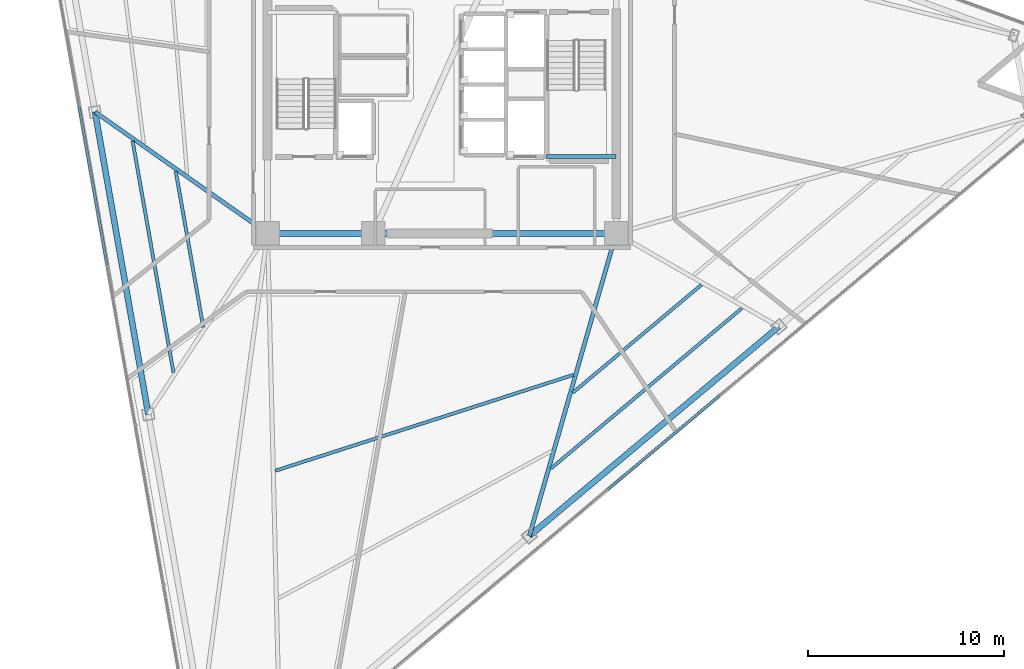
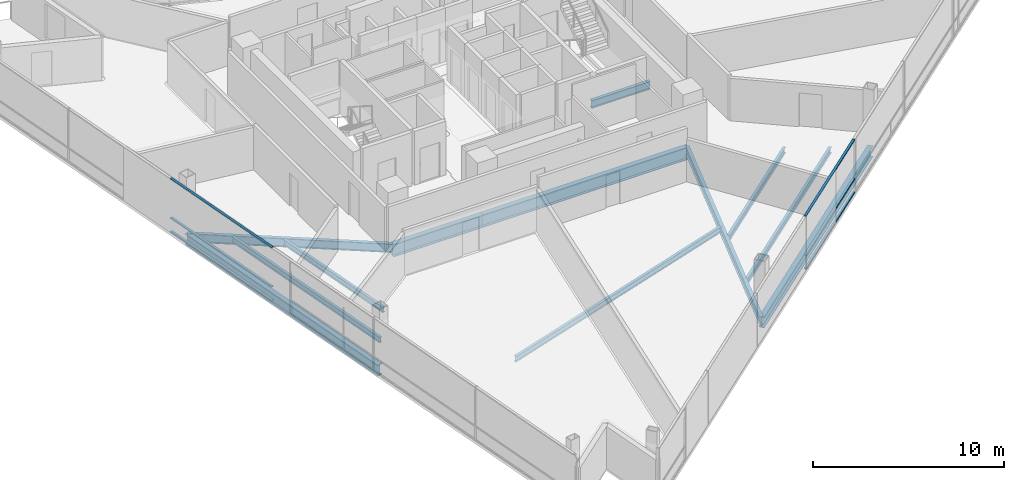
# One storey, part 3 of 16: 12 beams, 6 members, 2 elements without a shape of their own.
"""IFC4 building model written with IfcOpenShell, lengths in metres."""

from ifc_helpers import new_model, si_unit, direction, frame, origin, origin_2d, place, context, subcontext, project, spatial, rectangle, i_section, extrude, material, layer, layer_set, material_profile, profile_set, type_object, element, aggregate, save


model = new_model("IFC4")

# Units and contexts
model_context = context("Model", 3, precision=1e-05, world=origin(), true_north=direction((0.0, 1.0)))
body_context = subcontext(model_context, "Body", "Model", "MODEL_VIEW")
ifc_project = project(units=[si_unit("LENGTHUNIT", "METRE"), si_unit("AREAUNIT", "SQUARE_METRE"), si_unit("VOLUMEUNIT", "CUBIC_METRE"), si_unit("PLANEANGLEUNIT", "RADIAN"), si_unit("MASSUNIT", "GRAM", prefix="KILO")], contexts=[model_context])

# Site, building, storey
site_placement = place(None, origin())
site = spatial("IfcSite", under=ifc_project, at=site_placement, CompositionType="ELEMENT")
building_placement = place(site_placement, origin())
building = spatial("IfcBuilding", under=site, at=building_placement, Name="Tharavind Bronze Gate", CompositionType="ELEMENT")
storey_placement = place(building_placement, frame((0.0, 0.0, 170.5)))
storey = spatial("IfcBuildingStorey", under=building, at=storey_placement, Name="L43", CompositionType="ELEMENT", Elevation=170.5)

# Curtain wall, members
ifc_material_1 = material(Name="Anodised Bronze Aluminium", Category="aluminium")
ifc_layer = layer(ifc_material_1, 0.219970703125)
ifc_layer_set = layer_set([ifc_layer], Name="Anodised Bronze Aluminium")
curtain_wall_type = type_object("IfcCurtainWallType", Name="UNITISED CURTAIN WALL MID OFFICE", PredefinedType="USERDEFINED", material=ifc_layer_set)
curtain_wall_1_placement = place(storey_placement, origin())
curtain_wall_1 = element("IfcCurtainWall", 1, at=curtain_wall_1_placement, inside=storey, type_object=curtain_wall_type, Name="L43 unitised curtain wall mid office CW-L43-S1", ObjectType="UNITISED CURTAIN WALL", PredefinedType="USERDEFINED")
member_type = type_object("IfcMemberType", Name="CURTAIN WALL BRONZE TRANSOM 65X140", PredefinedType="USERDEFINED", material=ifc_material_1)
member_1_placement = place(storey_placement, frame((-17.80517578125, -5.177001953125, 0.0), z_axis=(0.0, 0.0, 1.0), x_axis=(0.173648177667, -0.984807753012, 0.0)))
member_1 = element("IfcMember", 2, at=member_1_placement, type_object=member_type, Name="CW-L43-S1 transom TB3", ObjectType="TRANSOM", PredefinedType="USERDEFINED", context=body_context, shape_type="SweptSolid", body=[
    extrude(rectangle(XDim=8.220458984375, YDim=0.139892578125, at=origin_2d()), origin(), (0.0, 0.0, 1.0), 0.06494140625),
])
member_2_placement = place(storey_placement, frame((-17.80517578125, -5.177001953125, 0.867431640625), z_axis=(0.0, 0.0, 1.0), x_axis=(0.173648177667, -0.984807753012, 0.0)))
member_2 = element("IfcMember", 3, at=member_2_placement, type_object=member_type, Name="CW-L43-S1 transom TS3", ObjectType="TRANSOM", PredefinedType="USERDEFINED", context=body_context, shape_type="SweptSolid", body=[
    extrude(rectangle(XDim=8.220458984375, YDim=0.139892578125, at=origin_2d()), origin(), (0.0, 0.0, 1.0), 0.06494140625),
])
member_3_placement = place(storey_placement, frame((-17.80517578125, -5.177001953125, 3.35498046875), z_axis=(0.0, 0.0, 1.0), x_axis=(0.173648177667, -0.984807753012, 0.0)))
member_3 = element("IfcMember", 4, at=member_3_placement, type_object=member_type, Name="CW-L43-S1 transom TT3", ObjectType="TRANSOM", PredefinedType="USERDEFINED", context=body_context, shape_type="SweptSolid", body=[
    extrude(rectangle(XDim=8.220458984375, YDim=0.139892578125, at=origin_2d()), origin(), (0.0, 0.0, 1.0), 0.06494140625),
])
aggregate(curtain_wall_1, [member_1, member_2, member_3])

curtain_wall_2_placement = place(storey_placement, origin())
curtain_wall_2 = element("IfcCurtainWall", 5, at=curtain_wall_2_placement, inside=storey, type_object=curtain_wall_type, Name="L43 unitised curtain wall mid office CW-L43-S2", ObjectType="UNITISED CURTAIN WALL", PredefinedType="USERDEFINED")
member_4_placement = place(storey_placement, frame((11.31298828125, -18.282470703125, 0.0), z_axis=(0.0, 0.0, 1.0), x_axis=(0.766043321242, 0.642788946685, 0.0)))
member_4 = element("IfcMember", 6, at=member_4_placement, type_object=member_type, Name="CW-L43-S2 transom TB4", ObjectType="TRANSOM", PredefinedType="USERDEFINED", context=body_context, shape_type="SweptSolid", body=[
    extrude(rectangle(XDim=7.443115234375, YDim=0.139892578125, at=origin_2d()), origin(), (0.0, 0.0, 1.0), 0.06494140625),
])
member_5_placement = place(storey_placement, frame((11.31298828125, -18.282470703125, 0.867431640625), z_axis=(0.0, 0.0, 1.0), x_axis=(0.766043321242, 0.642788946685, 0.0)))
member_5 = element("IfcMember", 7, at=member_5_placement, type_object=member_type, Name="CW-L43-S2 transom TS4", ObjectType="TRANSOM", PredefinedType="USERDEFINED", context=body_context, shape_type="SweptSolid", body=[
    extrude(rectangle(XDim=7.443115234375, YDim=0.139892578125, at=origin_2d()), origin(), (0.0, 0.0, 1.0), 0.06494140625),
])
member_6_placement = place(storey_placement, frame((11.31298828125, -18.282470703125, 3.35498046875), z_axis=(0.0, 0.0, 1.0), x_axis=(0.766043321242, 0.642788946685, 0.0)))
member_6 = element("IfcMember", 8, at=member_6_placement, type_object=member_type, Name="CW-L43-S2 transom TT4", ObjectType="TRANSOM", PredefinedType="USERDEFINED", context=body_context, shape_type="SweptSolid", body=[
    extrude(rectangle(XDim=7.443115234375, YDim=0.139892578125, at=origin_2d()), origin(), (0.0, 0.0, 1.0), 0.06494140625),
])
aggregate(curtain_wall_2, [member_4, member_5, member_6])

# Beams
ifc_material_2 = material(Name="Steel S355", Category="steel")
ifc_material_profile_1 = material_profile(ifc_material_2, i_section(OverallWidth=0.199951171875, OverallDepth=0.5, WebThickness=0.01025390625, FlangeThickness=0.01611328125, at=origin_2d()), Name="IPE500")
ifc_profile_set_1 = profile_set([ifc_material_profile_1], Name="Steel S355")
beam_type_1 = type_object("IfcBeamType", Name="PRIMARY GIRDER IPE500", PredefinedType="USERDEFINED", material=ifc_profile_set_1)
beam_1_placement = place(storey_placement, frame((5.35009765625, -3.679931640625, 1.35009765625), z_axis=(1.0, 0.0, 0.0), x_axis=(0.0, 1.0, 0.0)))
element("IfcBeam", 9, at=beam_1_placement, inside=storey, type_object=beam_type_1, Name="L43 primary girder ipe500 BM-LD-ST2-L43-1", ObjectType="GIRDER", PredefinedType="USERDEFINED", context=body_context, shape_type="SweptSolid", body=[
    extrude(i_section(OverallWidth=0.199951171875, OverallDepth=0.5, WebThickness=0.01025390625, FlangeThickness=0.01611328125, at=origin_2d()), origin(), (0.0, 0.0, 1.0), 3.5498046875),
])
ifc_material_profile_2 = material_profile(ifc_material_2, i_section(OverallWidth=0.2099609375, OverallDepth=0.550048828125, WebThickness=0.010986328125, FlangeThickness=0.01708984375, at=origin_2d()), Name="IPE550")
ifc_profile_set_2 = profile_set([ifc_material_profile_2], Name="Steel S355")
beam_type_2 = type_object("IfcBeamType", Name="PRIMARY GIRDER IPE550", PredefinedType="USERDEFINED", material=ifc_profile_set_2)
beam_2_placement = place(storey_placement, frame((-17.709716796875, -1.3994140625, -0.455078125), z_axis=(0.817754667857, -0.575566940675, 0.0), x_axis=(0.575566940675, 0.817754667857, 0.0)))
element("IfcBeam", 10, at=beam_2_placement, inside=storey, type_object=beam_type_2, Name="L43 primary girder ipe550 BM-L43-RAD02", ObjectType="GIRDER", PredefinedType="USERDEFINED", context=body_context, shape_type="SweptSolid", body=[
    extrude(i_section(OverallWidth=0.2099609375, OverallDepth=0.550048828125, WebThickness=0.010986328125, FlangeThickness=0.01708984375, at=origin_2d()), origin(), (0.0, 0.0, 1.0), 10.773193359375),
])
beam_3_placement = place(storey_placement, frame((4.46337890625, -23.05078125, -0.455078125), z_axis=(0.275988621834, 0.961160902564, 0.0), x_axis=(-0.961160902564, 0.275988621834, 0.0)))
element("IfcBeam", 11, at=beam_3_placement, inside=storey, type_object=beam_type_2, Name="L43 primary girder ipe550 BM-L43-RAD06", ObjectType="GIRDER", PredefinedType="USERDEFINED", context=body_context, shape_type="SweptSolid", body=[
    extrude(i_section(OverallWidth=0.2099609375, OverallDepth=0.550048828125, WebThickness=0.010986328125, FlangeThickness=0.01708984375, at=origin_2d()), origin(), (0.0, 0.0, 1.0), 16.074951171875),
])
ifc_material_profile_3 = material_profile(ifc_material_2, i_section(OverallWidth=0.300048828125, OverallDepth=0.699951171875, WebThickness=0.01708984375, FlangeThickness=0.031982421875, at=origin_2d()), Name="HE700B")
ifc_profile_set_3 = profile_set([ifc_material_profile_3], Name="Steel S355")
beam_type_3 = type_object("IfcBeamType", Name="RING GIRDER HE700B", PredefinedType="USERDEFINED", material=ifc_profile_set_3)
beam_4_placement = place(storey_placement, frame((-17.709716796875, -1.3994140625, -0.530029296875), z_axis=(0.173647661488, -0.984807844028, 0.0), x_axis=(0.984807844028, 0.173647661488, 0.0)))
element("IfcBeam", 12, at=beam_4_placement, inside=storey, type_object=beam_type_3, Name="L43 ring girder he700b BM-L43-PRG02", ObjectType="GIRDER", PredefinedType="USERDEFINED", context=body_context, shape_type="SweptSolid", body=[
    extrude(i_section(OverallWidth=0.300048828125, OverallDepth=0.699951171875, WebThickness=0.01708984375, FlangeThickness=0.031982421875, at=origin_2d()), origin(), (0.0, 0.0, 1.0), 15.6806640625),
])
beam_5_placement = place(storey_placement, frame((4.46337890625, -23.05078125, -0.530029296875), z_axis=(0.766044110924, 0.642788005581, 0.0), x_axis=(-0.642788005581, 0.766044110924, 0.0)))
element("IfcBeam", 13, at=beam_5_placement, inside=storey, type_object=beam_type_3, Name="L43 ring girder he700b BM-L43-PRG06", ObjectType="GIRDER", PredefinedType="USERDEFINED", context=body_context, shape_type="SweptSolid", body=[
    extrude(i_section(OverallWidth=0.300048828125, OverallDepth=0.699951171875, WebThickness=0.01708984375, FlangeThickness=0.031982421875, at=origin_2d()), origin(), (0.0, 0.0, 1.0), 16.62451171875),
])
ifc_material_profile_4 = material_profile(ifc_material_2, i_section(OverallWidth=0.300048828125, OverallDepth=0.800048828125, WebThickness=0.017578125, FlangeThickness=0.032958984375, at=origin_2d()), Name="HE800B")
ifc_profile_set_4 = profile_set([ifc_material_profile_4], Name="Steel S355")
beam_type_4 = type_object("IfcBeamType", Name="RING GIRDER HE800B", PredefinedType="USERDEFINED", material=ifc_profile_set_4)
beam_6_placement = place(storey_placement, frame((-8.89990234375, -7.60009765625, -0.580078125), z_axis=(1.0, 0.0, 0.0), x_axis=(0.0, 1.0, 0.0)))
element("IfcBeam", 14, at=beam_6_placement, inside=storey, type_object=beam_type_4, Name="L43 ring girder he800b BM-L43-CR1", ObjectType="GIRDER", PredefinedType="USERDEFINED", context=body_context, shape_type="SweptSolid", body=[
    extrude(i_section(OverallWidth=0.300048828125, OverallDepth=0.800048828125, WebThickness=0.017578125, FlangeThickness=0.032958984375, at=origin_2d()), origin(), (0.0, 0.0, 1.0), 5.39990234375),
])
beam_7_placement = place(storey_placement, frame((-3.5, -7.60009765625, -0.580078125), z_axis=(1.0, 0.0, 0.0), x_axis=(0.0, 1.0, 0.0)))
element("IfcBeam", 15, at=beam_7_placement, inside=storey, type_object=beam_type_4, Name="L43 ring girder he800b BM-L43-CR2", ObjectType="GIRDER", PredefinedType="USERDEFINED", context=body_context, shape_type="SweptSolid", body=[
    extrude(i_section(OverallWidth=0.300048828125, OverallDepth=0.800048828125, WebThickness=0.017578125, FlangeThickness=0.032958984375, at=origin_2d()), origin(), (0.0, 0.0, 1.0), 12.39990234375),
])
ifc_material_profile_5 = material_profile(ifc_material_2, i_section(OverallWidth=0.169921875, OverallDepth=0.360107421875, WebThickness=0.008056640625, FlangeThickness=0.0126953125, at=origin_2d()), Name="IPE360")
ifc_profile_set_5 = profile_set([ifc_material_profile_5], Name="Steel S355")
beam_type_5 = type_object("IfcBeamType", Name="SECONDARY FLOOR JOIST IPE360", PredefinedType="JOIST", material=ifc_profile_set_5)
beam_8_placement = place(storey_placement, frame((-13.586669921875, -4.43310546875, -0.360107421875), z_axis=(0.173657771601, -0.984806061295, 0.0), x_axis=(0.984806061295, 0.173657771601, 0.0)))
element("IfcBeam", 16, at=beam_8_placement, inside=storey, type_object=beam_type_5, Name="L43 secondary floor joist ipe360 BM-L43-JSTA02", PredefinedType="JOIST", context=body_context, shape_type="SweptSolid", body=[
    extrude(i_section(OverallWidth=0.169921875, OverallDepth=0.360107421875, WebThickness=0.008056640625, FlangeThickness=0.0126953125, at=origin_2d()), origin(), (0.0, 0.0, 1.0), 8.07958984375),
])
beam_9_placement = place(storey_placement, frame((-15.7890625, -2.883056640625, -0.360107421875), z_axis=(0.173653015137, -0.984806900023, 0.0), x_axis=(0.984806900023, 0.173653015137, 0.0)))
element("IfcBeam", 17, at=beam_9_placement, inside=storey, type_object=beam_type_5, Name="L43 secondary floor joist ipe360 BM-L43-JSTB02", PredefinedType="JOIST", context=body_context, shape_type="SweptSolid", body=[
    extrude(i_section(OverallWidth=0.169921875, OverallDepth=0.360107421875, WebThickness=0.008056640625, FlangeThickness=0.0126953125, at=origin_2d()), origin(), (0.0, 0.0, 1.0), 11.99951171875),
])
beam_10_placement = place(storey_placement, frame((-8.5, -19.718994140625, -0.360107421875), z_axis=(0.951947780182, 0.306260385629, 0.0), x_axis=(-0.306260385629, 0.951947780182, 0.0)))
element("IfcBeam", 18, at=beam_10_placement, inside=storey, type_object=beam_type_5, Name="L43 secondary floor joist ipe360 BM-L43-JSTA05", PredefinedType="JOIST", context=body_context, shape_type="SweptSolid", body=[
    extrude(i_section(OverallWidth=0.169921875, OverallDepth=0.360107421875, WebThickness=0.008056640625, FlangeThickness=0.0126953125, at=origin_2d()), origin(), (0.0, 0.0, 1.0), 15.980712890625),
])
beam_11_placement = place(storey_placement, frame((6.67333984375, -15.742919921875, -0.360107421875), z_axis=(0.766044754816, 0.64278723822, 0.0), x_axis=(-0.64278723822, 0.766044754816, 0.0)))
element("IfcBeam", 19, at=beam_11_placement, inside=storey, type_object=beam_type_5, Name="L43 secondary floor joist ipe360 BM-L43-JSTA06", PredefinedType="JOIST", context=body_context, shape_type="SweptSolid", body=[
    extrude(i_section(OverallWidth=0.169921875, OverallDepth=0.360107421875, WebThickness=0.008056640625, FlangeThickness=0.0126953125, at=origin_2d()), origin(), (0.0, 0.0, 1.0), 8.58642578125),
])
beam_12_placement = place(storey_placement, frame((5.564208984375, -19.605712890625, -0.360107421875), z_axis=(0.766041806797, 0.64279075152, 0.0), x_axis=(-0.64279075152, 0.766041806797, 0.0)))
element("IfcBeam", 20, at=beam_12_placement, inside=storey, type_object=beam_type_5, Name="L43 secondary floor joist ipe360 BM-L43-JSTB06", PredefinedType="JOIST", context=body_context, shape_type="SweptSolid", body=[
    extrude(i_section(OverallWidth=0.169921875, OverallDepth=0.360107421875, WebThickness=0.008056640625, FlangeThickness=0.0126953125, at=origin_2d()), origin(), (0.0, 0.0, 1.0), 12.74267578125),
])

save(model, "model.ifc")
